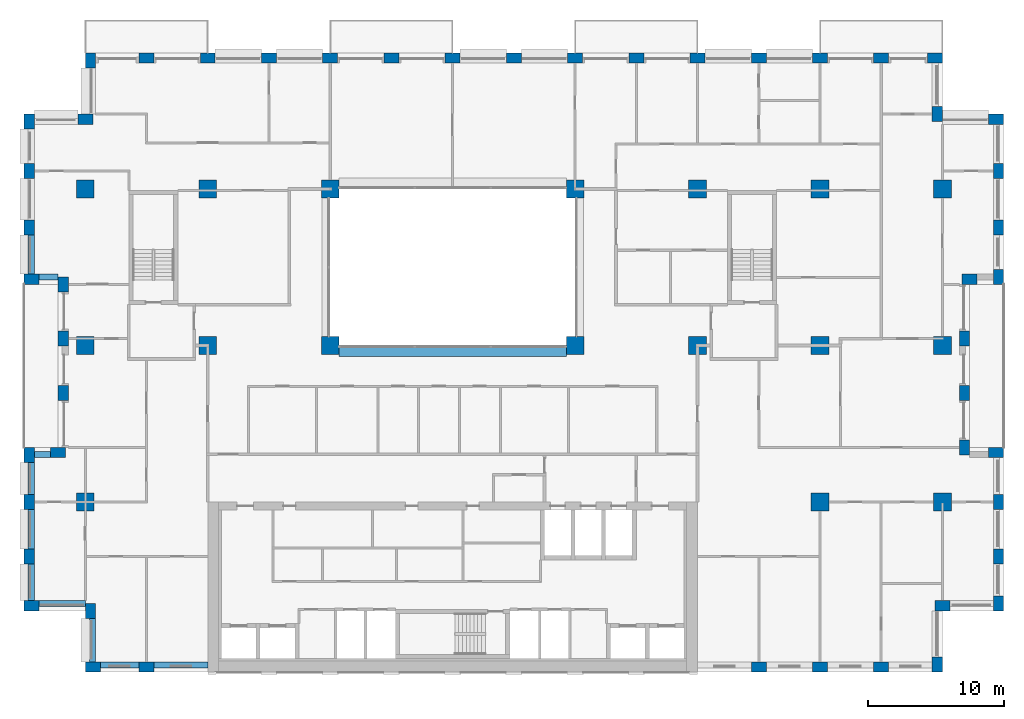
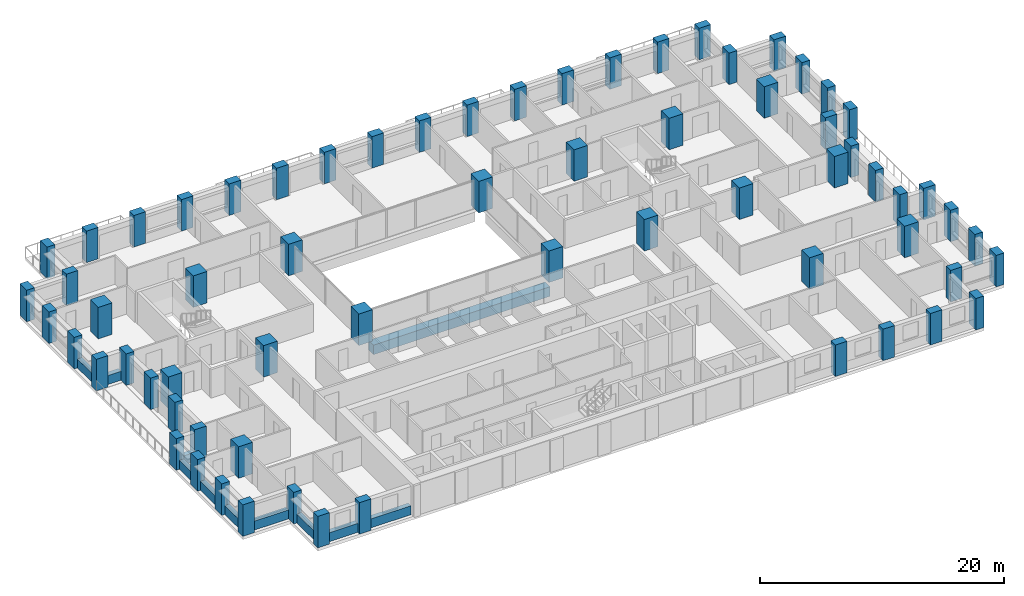
# One storey, part 1 of 16: 66 columns, 11 beams.
"""IFC4 building model written with IfcOpenShell, lengths in metres."""

from ifc_helpers import new_model, si_unit, direction, frame, origin, origin_2d, place, context, subcontext, project, spatial, rectangle, extrude, material, material_profile, profile_set, type_object, element, save


model = new_model("IFC4")

# Units and contexts
model_context = context("Model", 3, precision=1e-05, world=origin(), true_north=direction((0.0, 1.0)))
body_context = subcontext(model_context, "Body", "Model", "MODEL_VIEW")
ifc_project = project(units=[si_unit("LENGTHUNIT", "METRE"), si_unit("AREAUNIT", "SQUARE_METRE"), si_unit("VOLUMEUNIT", "CUBIC_METRE"), si_unit("PLANEANGLEUNIT", "RADIAN"), si_unit("MASSUNIT", "GRAM", prefix="KILO")], contexts=[model_context])

# Site, building, storey
site_placement = place(None, origin())
site = spatial("IfcSite", under=ifc_project, at=site_placement, CompositionType="ELEMENT")
building_placement = place(site_placement, origin())
building = spatial("IfcBuilding", under=site, at=building_placement, Name="Brigalow Station Residences", CompositionType="ELEMENT")
storey_placement = place(building_placement, frame((0.0, 0.0, 105.60009765625)))
storey = spatial("IfcBuildingStorey", under=building, at=storey_placement, Name="L30", CompositionType="ELEMENT", Elevation=105.60009765625)

# Columns
ifc_material_1 = material(Name="Concrete C65", Category="concrete")
ifc_material_profile_1 = material_profile(ifc_material_1, rectangle(XDim=1.300048828125, YDim=1.300048828125, at=origin_2d()), Name="RC1300x1300")
ifc_profile_set_1 = profile_set([ifc_material_profile_1], Name="Concrete C65")
column_type_1 = type_object("IfcColumnType", Name="COLUMN 1300x1300 C65", PredefinedType="COLUMN", material=ifc_profile_set_1)
for number, where, z_axis, x_axis, name in (
    (1, (9.0, 24.0, 0.0), (0.0, 0.0, 1.0), (1.0, 0.0, 0.0), "COLUMN C1 L30"),
    (2, (18.0, 24.0, 0.0), (0.0, 0.0, 1.0), (1.0, 0.0, 0.0), "COLUMN C2 L30"),
    (3, (27.0, 24.0, 0.0), (0.0, 0.0, 1.0), (1.0, 0.0, 0.0), "COLUMN C3 L30"),
    (4, (45.0, 24.0, 0.0), (0.0, 0.0, 1.0), (1.0, 0.0, 0.0), "COLUMN C5 L30"),
    (5, (54.0, 24.0, 0.0), (0.0, 0.0, 1.0), (1.0, 0.0, 0.0), "COLUMN C6 L30"),
    (6, (63.0, 24.0, 0.0), (0.0, 0.0, 1.0), (1.0, 0.0, 0.0), "COLUMN C7 L30"),
    (7, (72.0, 24.0, 0.0), (0.0, 0.0, 1.0), (1.0, 0.0, 0.0), "COLUMN C8 L30"),
    (8, (9.0, 35.5, 0.0), (0.0, 0.0, 1.0), (1.0, 0.0, 0.0), "COLUMN D1 L30"),
    (9, (18.0, 35.5, 0.0), (0.0, 0.0, 1.0), (1.0, 0.0, 0.0), "COLUMN D2 L30"),
    (10, (27.0, 35.5, 0.0), (0.0, 0.0, 1.0), (1.0, 0.0, 0.0), "COLUMN D3 L30"),
    (11, (45.0, 35.5, 0.0), (0.0, 0.0, 1.0), (1.0, 0.0, 0.0), "COLUMN D5 L30"),
    (12, (54.0, 35.5, 0.0), (0.0, 0.0, 1.0), (1.0, 0.0, 0.0), "COLUMN D6 L30"),
    (13, (63.0, 35.5, 0.0), (0.0, 0.0, 1.0), (1.0, 0.0, 0.0), "COLUMN D7 L30"),
    (14, (72.0, 35.5, 0.0), (0.0, 0.0, 1.0), (1.0, 0.0, 0.0), "COLUMN D8 L30"),
    (15, (9.0, 12.5, 0.0), (0.0, 0.0, 1.0), (1.0, 0.0, 0.0), "COLUMN B1 L30"),
    (16, (63.0, 12.5, 0.0), (0.0, 0.0, 1.0), (1.0, 0.0, 0.0), "COLUMN B7 L30"),
    (17, (72.0, 12.5, 0.0), (0.0, 0.0, 1.0), (1.0, 0.0, 0.0), "COLUMN B8 L30"),
):
    element("IfcColumn", number, at=place(storey_placement, frame(where, z_axis=z_axis, x_axis=x_axis)), inside=storey, type_object=column_type_1, Name=name, PredefinedType="COLUMN", context=body_context, shape_type="SweptSolid", body=[
        extrude(rectangle(XDim=1.300048828125, YDim=1.300048828125, at=origin_2d()), origin(), (0.0, 0.0, 1.0), 3.14990234375),
    ])
ifc_material_2 = material(Name="Concrete C65", Category="concrete")
ifc_material_profile_2 = material_profile(ifc_material_2, rectangle(XDim=1.10009765625, YDim=0.75, at=origin_2d()), Name="RC1100x750")
ifc_profile_set_2 = profile_set([ifc_material_profile_2], Name="Concrete C65")
column_type_2 = type_object("IfcColumnType", Name="PIER 1100x750 C65", PredefinedType="USERDEFINED", material=ifc_profile_set_2)
for number, where, z_axis, x_axis, name in (
    (18, (9.550048828125, 0.375, 0.0), (0.0, 0.0, 1.0), (1.0, 0.0, 0.0), "PIER S-1 L30"),
    (19, (13.5, 0.375, 0.0), (0.0, 0.0, 1.0), (1.0, 0.0, 0.0), "PIER S-2 L30"),
    (20, (58.5, 0.375, 0.0), (0.0, 0.0, 1.0), (1.0, 0.0, 0.0), "PIER S-12 L30"),
    (21, (63.0, 0.375, 0.0), (0.0, 0.0, 1.0), (1.0, 0.0, 0.0), "PIER S-13 L30"),
    (22, (67.5, 0.375, 0.0), (0.0, 0.0, 1.0), (1.0, 0.0, 0.0), "PIER S-14 L30"),
    (23, (71.625, 0.550048828125, 0.0), (0.0, 0.0, 1.0), (0.0, 1.0, 0.0), "PIER SE1-1 L30"),
    (24, (72.0, 4.875, 0.0), (0.0, 0.0, 1.0), (1.0, 0.0, 0.0), "PIER SE2-1 L30"),
    (25, (76.125, 5.050048828125, 0.0), (0.0, 0.0, 1.0), (0.0, 1.0, 0.0), "PIER E1-1 L30"),
    (26, (76.125, 8.5, 0.0), (0.0, 0.0, 1.0), (0.0, 1.0, 0.0), "PIER E1-2 L30"),
    (27, (76.125, 12.5, 0.0), (0.0, 0.0, 1.0), (0.0, 1.0, 0.0), "PIER E1-3 L30"),
    (28, (75.949951171875, 16.125, 0.0), (0.0, 0.0, 1.0), (-1.0, 0.0, 0.0), "PIER EL1-1 L30"),
    (29, (73.625, 16.5, 0.0), (0.0, 0.0, 1.0), (0.0, 1.0, 0.0), "PIER EL2-1 L30"),
    (30, (73.625, 20.5, 0.0), (0.0, 0.0, 1.0), (0.0, 1.0, 0.0), "PIER EL2-2 L30"),
    (31, (73.625, 24.5, 0.0), (0.0, 0.0, 1.0), (0.0, 1.0, 0.0), "PIER EL2-3 L30"),
    (32, (74.0, 28.875, 0.0), (0.0, 0.0, 1.0), (1.0, 0.0, 0.0), "PIER EL3-1 L30"),
    (33, (76.125, 29.050048828125, 0.0), (0.0, 0.0, 1.0), (0.0, 1.0, 0.0), "PIER E2-1 L30"),
    (34, (76.125, 32.6669921875, 0.0), (0.0, 0.0, 1.0), (0.0, 1.0, 0.0), "PIER E2-2 L30"),
    (35, (76.125, 36.8330078125, 0.0), (0.0, 0.0, 1.0), (0.0, 1.0, 0.0), "PIER E2-3 L30"),
    (36, (75.949951171875, 40.625, 0.0), (0.0, 0.0, 1.0), (-1.0, 0.0, 0.0), "PIER NE1-1 L30"),
    (37, (71.625, 41.0, 0.0), (0.0, 0.0, 1.0), (0.0, 1.0, 0.0), "PIER NE2-1 L30"),
    (38, (71.449951171875, 45.125, 0.0), (0.0, 0.0, 1.0), (-1.0, 0.0, 0.0), "PIER N-1 L30"),
    (39, (67.5, 45.125, 0.0), (0.0, 0.0, 1.0), (-1.0, 0.0, 0.0), "PIER N-2 L30"),
    (40, (63.0, 45.125, 0.0), (0.0, 0.0, 1.0), (-1.0, 0.0, 0.0), "PIER N-3 L30"),
    (41, (58.5, 45.125, 0.0), (0.0, 0.0, 1.0), (-1.0, 0.0, 0.0), "PIER N-4 L30"),
    (42, (54.0, 45.125, 0.0), (0.0, 0.0, 1.0), (-1.0, 0.0, 0.0), "PIER N-5 L30"),
    (43, (49.5, 45.125, 0.0), (0.0, 0.0, 1.0), (-1.0, 0.0, 0.0), "PIER N-6 L30"),
    (44, (45.0, 45.125, 0.0), (0.0, 0.0, 1.0), (-1.0, 0.0, 0.0), "PIER N-7 L30"),
    (45, (40.5, 45.125, 0.0), (0.0, 0.0, 1.0), (-1.0, 0.0, 0.0), "PIER N-8 L30"),
    (46, (36.0, 45.125, 0.0), (0.0, 0.0, 1.0), (-1.0, 0.0, 0.0), "PIER N-9 L30"),
    (47, (31.5, 45.125, 0.0), (0.0, 0.0, 1.0), (-1.0, 0.0, 0.0), "PIER N-10 L30"),
    (48, (27.0, 45.125, 0.0), (0.0, 0.0, 1.0), (-1.0, 0.0, 0.0), "PIER N-11 L30"),
    (49, (22.5, 45.125, 0.0), (0.0, 0.0, 1.0), (-1.0, 0.0, 0.0), "PIER N-12 L30"),
    (50, (18.0, 45.125, 0.0), (0.0, 0.0, 1.0), (-1.0, 0.0, 0.0), "PIER N-13 L30"),
    (51, (13.5, 45.125, 0.0), (0.0, 0.0, 1.0), (-1.0, 0.0, 0.0), "PIER N-14 L30"),
    (52, (9.375, 44.949951171875, 0.0), (0.0, 0.0, 1.0), (0.0, -1.0, 0.0), "PIER NW1-1 L30"),
    (53, (9.0, 40.625, 0.0), (0.0, 0.0, 1.0), (-1.0, 0.0, 0.0), "PIER NW2-1 L30"),
    (54, (4.875, 40.449951171875, 0.0), (0.0, 0.0, 1.0), (0.0, -1.0, 0.0), "PIER W2-1 L30"),
    (55, (4.875, 36.8330078125, 0.0), (0.0, 0.0, 1.0), (0.0, -1.0, 0.0), "PIER W2-2 L30"),
    (56, (4.875, 32.6669921875, 0.0), (0.0, 0.0, 1.0), (0.0, -1.0, 0.0), "PIER W2-3 L30"),
    (57, (5.050048828125, 28.875, 0.0), (0.0, 0.0, 1.0), (1.0, 0.0, 0.0), "PIER WL1-1 L30"),
    (58, (7.375, 28.5, 0.0), (0.0, 0.0, 1.0), (0.0, -1.0, 0.0), "PIER WL2-1 L30"),
    (59, (7.375, 24.5, 0.0), (0.0, 0.0, 1.0), (0.0, -1.0, 0.0), "PIER WL2-2 L30"),
    (60, (7.375, 20.5, 0.0), (0.0, 0.0, 1.0), (0.0, -1.0, 0.0), "PIER WL2-3 L30"),
    (61, (7.0, 16.125, 0.0), (0.0, 0.0, 1.0), (-1.0, 0.0, 0.0), "PIER WL3-1 L30"),
    (62, (4.875, 15.949951171875, 0.0), (0.0, 0.0, 1.0), (0.0, -1.0, 0.0), "PIER W1-1 L30"),
    (63, (4.875, 12.5, 0.0), (0.0, 0.0, 1.0), (0.0, -1.0, 0.0), "PIER W1-2 L30"),
    (64, (4.875, 8.5, 0.0), (0.0, 0.0, 1.0), (0.0, -1.0, 0.0), "PIER W1-3 L30"),
    (65, (5.050048828125, 4.875, 0.0), (0.0, 0.0, 1.0), (1.0, 0.0, 0.0), "PIER SW1-1 L30"),
    (66, (9.375, 4.5, 0.0), (0.0, 0.0, 1.0), (0.0, -1.0, 0.0), "PIER SW2-1 L30"),
):
    element("IfcColumn", number, at=place(storey_placement, frame(where, z_axis=z_axis, x_axis=x_axis)), inside=storey, type_object=column_type_2, Name=name, ObjectType="PIER", PredefinedType="USERDEFINED", context=body_context, shape_type="SweptSolid", body=[
        extrude(rectangle(XDim=1.10009765625, YDim=0.75, at=origin_2d()), origin(), (0.0, 0.0, 1.0), 3.14990234375),
    ])

# Beams
ifc_material_3 = material(Name="Concrete C65", Category="concrete")
ifc_material_profile_3 = material_profile(ifc_material_3, rectangle(XDim=0.800048828125, YDim=0.949951171875, at=origin_2d()), Name="RC800x950")
ifc_profile_set_3 = profile_set([ifc_material_profile_3], Name="Concrete C65")
beam_type_1 = type_object("IfcBeamType", Name="ATRIUM EDGE GIRDER OVER 13.5 M SPAN 800x950 C65", PredefinedType="BEAM", material=ifc_profile_set_3)
beam_1_placement = place(storey_placement, frame((27.64990234375, 23.60009765625, -0.795166015625), z_axis=(1.0, 0.0, 0.0), x_axis=(0.0, 1.0, 0.0)))
element("IfcBeam", 67, at=beam_1_placement, inside=storey, type_object=beam_type_1, Name="ATRIUM EDGE GIRDER C L30", PredefinedType="BEAM", context=body_context, shape_type="SweptSolid", body=[
    extrude(rectangle(XDim=0.800048828125, YDim=0.949951171875, at=origin_2d()), origin(), (0.0, 0.0, 1.0), 16.7001953125),
])
ifc_material_4 = material(Name="Concrete C65", Category="concrete")
ifc_material_profile_4 = material_profile(ifc_material_4, rectangle(XDim=0.449951171875, YDim=0.89990234375, at=origin_2d()), Name="RC450x900")
ifc_profile_set_4 = profile_set([ifc_material_profile_4], Name="Concrete C65")
beam_type_2 = type_object("IfcBeamType", Name="SPANDREL BEAM 450x900 C65", PredefinedType="SPANDREL", material=ifc_profile_set_4)
beam_2_placement = place(storey_placement, frame((10.10009765625, 0.52490234375, 0.449951171875), z_axis=(1.0, 0.0, 0.0), x_axis=(0.0, 1.0, 0.0)))
element("IfcBeam", 68, at=beam_2_placement, inside=storey, type_object=beam_type_2, Name="L30/spandrel/W-L30-1", PredefinedType="SPANDREL", context=body_context, shape_type="SweptSolid", body=[
    extrude(rectangle(XDim=0.449951171875, YDim=0.89990234375, at=origin_2d()), origin(), (0.0, 0.0, 1.0), 2.849853515625),
])
beam_3_placement = place(storey_placement, frame((14.050048828125, 0.52490234375, 0.449951171875), z_axis=(1.0, 0.0, 0.0), x_axis=(0.0, 1.0, 0.0)))
element("IfcBeam", 69, at=beam_3_placement, inside=storey, type_object=beam_type_2, Name="L30/spandrel/W-L30-2", PredefinedType="SPANDREL", context=body_context, shape_type="SweptSolid", body=[
    extrude(rectangle(XDim=0.449951171875, YDim=0.89990234375, at=origin_2d()), origin(), (0.0, 0.0, 1.0), 3.949951171875),
])
beam_4_placement = place(storey_placement, frame((5.02490234375, 32.116943359375, 0.449951171875), z_axis=(0.0, -1.0, 0.0), x_axis=(1.0, 0.0, 0.0)))
element("IfcBeam", 70, at=beam_4_placement, inside=storey, type_object=beam_type_2, Name="L30/spandrel/W-L30-41", PredefinedType="SPANDREL", context=body_context, shape_type="SweptSolid", body=[
    extrude(rectangle(XDim=0.449951171875, YDim=0.89990234375, at=origin_2d()), origin(), (0.0, 0.0, 1.0), 2.866943359375),
])
beam_5_placement = place(storey_placement, frame((5.60009765625, 29.02490234375, 0.449951171875), z_axis=(1.0, 0.0, 0.0), x_axis=(0.0, 1.0, 0.0)))
element("IfcBeam", 71, at=beam_5_placement, inside=storey, type_object=beam_type_2, Name="L30/spandrel/W-L30-42", PredefinedType="SPANDREL", context=body_context, shape_type="SweptSolid", body=[
    extrude(rectangle(XDim=0.449951171875, YDim=0.89990234375, at=origin_2d()), origin(), (0.0, 0.0, 1.0), 1.39990234375),
])
beam_6_placement = place(storey_placement, frame((6.449951171875, 15.97509765625, 0.449951171875), z_axis=(-1.0, 0.0, 0.0), x_axis=(0.0, -1.0, 0.0)))
element("IfcBeam", 72, at=beam_6_placement, inside=storey, type_object=beam_type_2, Name="L30/spandrel/W-L30-46", PredefinedType="SPANDREL", context=body_context, shape_type="SweptSolid", body=[
    extrude(rectangle(XDim=0.449951171875, YDim=0.89990234375, at=origin_2d()), origin(), (0.0, 0.0, 1.0), 1.199951171875),
])
beam_7_placement = place(storey_placement, frame((5.02490234375, 15.39990234375, 0.449951171875), z_axis=(0.0, -1.0, 0.0), x_axis=(1.0, 0.0, 0.0)))
element("IfcBeam", 73, at=beam_7_placement, inside=storey, type_object=beam_type_2, Name="L30/spandrel/W-L30-47", PredefinedType="SPANDREL", context=body_context, shape_type="SweptSolid", body=[
    extrude(rectangle(XDim=0.449951171875, YDim=0.89990234375, at=origin_2d()), origin(), (0.0, 0.0, 1.0), 2.349853515625),
])
beam_8_placement = place(storey_placement, frame((5.02490234375, 11.949951171875, 0.449951171875), z_axis=(0.0, -1.0, 0.0), x_axis=(1.0, 0.0, 0.0)))
element("IfcBeam", 74, at=beam_8_placement, inside=storey, type_object=beam_type_2, Name="L30/spandrel/W-L30-48", PredefinedType="SPANDREL", context=body_context, shape_type="SweptSolid", body=[
    extrude(rectangle(XDim=0.449951171875, YDim=0.89990234375, at=origin_2d()), origin(), (0.0, 0.0, 1.0), 2.89990234375),
])
beam_9_placement = place(storey_placement, frame((5.02490234375, 7.949951171875, 0.449951171875), z_axis=(0.0, -1.0, 0.0), x_axis=(1.0, 0.0, 0.0)))
element("IfcBeam", 75, at=beam_9_placement, inside=storey, type_object=beam_type_2, Name="L30/spandrel/W-L30-49", PredefinedType="SPANDREL", context=body_context, shape_type="SweptSolid", body=[
    extrude(rectangle(XDim=0.449951171875, YDim=0.89990234375, at=origin_2d()), origin(), (0.0, 0.0, 1.0), 2.699951171875),
])
beam_10_placement = place(storey_placement, frame((5.60009765625, 5.02490234375, 0.449951171875), z_axis=(1.0, 0.0, 0.0), x_axis=(0.0, 1.0, 0.0)))
element("IfcBeam", 76, at=beam_10_placement, inside=storey, type_object=beam_type_2, Name="L30/spandrel/W-L30-50", PredefinedType="SPANDREL", context=body_context, shape_type="SweptSolid", body=[
    extrude(rectangle(XDim=0.449951171875, YDim=0.89990234375, at=origin_2d()), origin(), (0.0, 0.0, 1.0), 3.39990234375),
])
beam_11_placement = place(storey_placement, frame((9.52490234375, 3.949951171875, 0.449951171875), z_axis=(0.0, -1.0, 0.0), x_axis=(1.0, 0.0, 0.0)))
element("IfcBeam", 77, at=beam_11_placement, inside=storey, type_object=beam_type_2, Name="L30/spandrel/W-L30-51", PredefinedType="SPANDREL", context=body_context, shape_type="SweptSolid", body=[
    extrude(rectangle(XDim=0.449951171875, YDim=0.89990234375, at=origin_2d()), origin(), (0.0, 0.0, 1.0), 3.199951171875),
])

save(model, "model.ifc")
